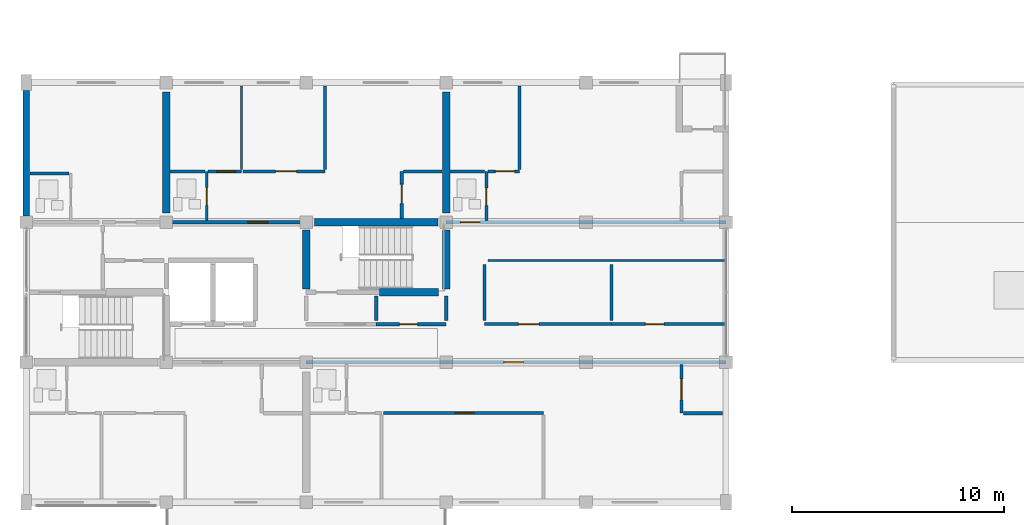
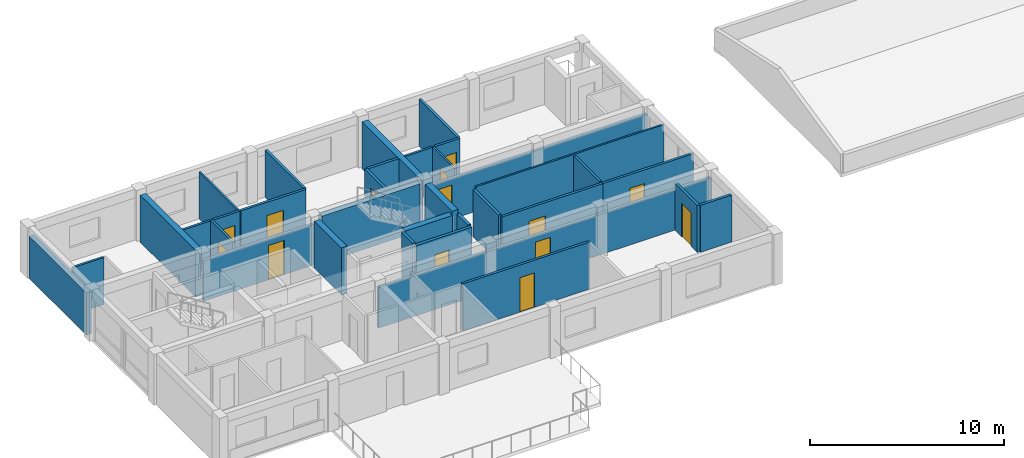
# One storey, part 35 of 51: 34 walls, 14 doors, 14 openings.
"""IFC4 building model written with IfcOpenShell, lengths in metres."""

from ifc_helpers import new_model, si_unit, direction, frame, frame_2d, origin, place, context, subcontext, project, spatial, rectangle, extrude, material, layer, layer_set, type_object, element, fill, save


model = new_model("IFC4")

# Units and contexts
model_context = context("Model", 3, precision=1e-05, world=origin(), true_north=direction((0.0, 1.0)))
body_context = subcontext(model_context, "Body", "Model", "MODEL_VIEW")
ifc_project = project(units=[si_unit("LENGTHUNIT", "METRE"), si_unit("AREAUNIT", "SQUARE_METRE"), si_unit("VOLUMEUNIT", "CUBIC_METRE"), si_unit("PLANEANGLEUNIT", "RADIAN"), si_unit("MASSUNIT", "GRAM", prefix="KILO")], contexts=[model_context])

# Site, building, storey
site_placement = place(None, origin())
site = spatial("IfcSite", under=ifc_project, at=site_placement, CompositionType="ELEMENT")
building_placement = place(site_placement, origin())
building = spatial("IfcBuilding", under=site, at=building_placement, Name="Kernevlak Ridge Housing Community", CompositionType="ELEMENT")
storey_placement = place(building_placement, frame((0.0, 0.0, 8.39990234375)))
storey = spatial("IfcBuildingStorey", under=building, at=storey_placement, Name="L02", CompositionType="ELEMENT", Elevation=8.39990234375)

# Wall
ifc_material_1 = material(Name="Concrete block masonry M10", Category="masonry")
ifc_layer_1 = layer(ifc_material_1, 0.300048828125, Name="Concrete block masonry M10")
ifc_layer_set_1 = layer_set([ifc_layer_1], Name="Concrete block masonry M10")
wall_type_1 = type_object("IfcWallType", Name="EW-01", PredefinedType="STANDARD", material=ifc_layer_set_1)
wall_1_placement = place(storey_placement, frame((15.60009765625, 89.5, 0.0), z_axis=(0.0, 0.0, 1.0), x_axis=(0.0, 1.0, 0.0)))
element("IfcWall", 1, at=wall_1_placement, inside=storey, type_object=wall_type_1, Name="Exterior wall EW-01 L02 42", PredefinedType="STANDARD", context=body_context, shape_type="SweptSolid", body=[
    extrude(rectangle(XDim=5.925048828125, YDim=0.300048828125, at=frame_2d((2.96240234375, 0.0))), origin(), (0.0, 0.0, 1.0), 2.650146484375),
])

# Wall, opening, door
ifc_layer_2 = layer(ifc_material_1, 0.175048828125, Name="Concrete block masonry M10")
ifc_layer_set_2 = layer_set([ifc_layer_2], Name="Concrete block masonry M10")
wall_type_2 = type_object("IfcWallType", Name="PW-02", PredefinedType="PARTITIONING", material=ifc_layer_set_2)
wall_2_placement = place(storey_placement, frame((32.10009765625, 84.39990234375, 0.0), z_axis=(0.0, 0.0, 1.0), x_axis=(1.0, 0.0, 0.0)))
wall_2 = element("IfcWall", 2, at=wall_2_placement, inside=storey, type_object=wall_type_2, Name="Interior wall PW-02 WAL-INT-L02-0144", PredefinedType="PARTITIONING", context=body_context, shape_type="SweptSolid", body=[
    extrude(rectangle(XDim=3.2998046875, YDim=0.175048828125, at=frame_2d((1.64990234375, 0.0))), origin(), (0.0, 0.0, 1.0), 2.960205078125),
])
opening_1_placement = place(wall_2_placement, frame((1.10009765625, 0.0, 0.0)))
opening_1 = element("IfcOpeningElement", 3, at=opening_1_placement, cuts=wall_2, Name="Opening D070", PredefinedType="OPENING", context=body_context, shape_type="SweptSolid", body=[
    extrude(rectangle(XDim=0.85009765625, YDim=2.0, at=frame_2d((0.425048828125, 1.0))), frame((0.0, 0.097412109375, 0.0), z_axis=(0.0, -1.0, 0.0), x_axis=(1.0, 0.0, 0.0)), (0.0, 0.0, 1.0), 0.195068359375),
])
ifc_material_2 = material(Name="Fire-rated sheet steel leaf", Category="steel")
door_type_1 = type_object("IfcDoorType", Name="DT-07", OperationType="NOTDEFINED", PredefinedType="DOOR", material=ifc_material_2)
door_1_placement = place(opening_1_placement, origin())
door_1 = element("IfcDoor", 4, at=door_1_placement, inside=storey, type_object=door_type_1, Name="Block A Cleaner store door D070", OperationType="SINGLE_SWING_RIGHT", OverallHeight=2.0, OverallWidth=0.85009765625, PredefinedType="DOOR", context=body_context, shape_type="SweptSolid", body=[
    extrude(rectangle(XDim=0.85009765625, YDim=2.0, at=frame_2d((0.425048828125, 1.0))), frame((0.0, 0.02490234375, 0.0), z_axis=(0.0, -1.0, 0.0), x_axis=(1.0, 0.0, 0.0)), (0.0, 0.0, 1.0), 0.050048828125),
])
fill(opening_1, door_1)

# Walls
for number, where, z_axis, x_axis, name in (
    (5, (32.10009765625, 84.580078125, 0.0), (0.0, 0.0, 1.0), (0.0, 1.0, 0.0), "Interior wall PW-02 WAL-INT-L02-0146"),
    (6, (35.39990234375, 84.580078125, 0.0), (0.0, 0.0, 1.0), (0.0, 1.0, 0.0), "Interior wall PW-02 WAL-INT-L02-0147"),
):
    element("IfcWall", number, at=place(storey_placement, frame(where, z_axis=z_axis, x_axis=x_axis)), inside=storey, type_object=wall_type_2, Name=name, PredefinedType="PARTITIONING", context=body_context, shape_type="SweptSolid", body=[
        extrude(rectangle(XDim=1.139892578125, YDim=0.175048828125, at=frame_2d((0.56982421875, 0.0))), origin(), (0.0, 0.0, 1.0), 2.960205078125),
    ])

# Wall, opening, door
wall_3_placement = place(storey_placement, frame((28.800048828125, 82.60009765625, 0.0), z_axis=(0.0, 0.0, 1.0), x_axis=(1.0, 0.0, 0.0)))
wall_3 = element("IfcWall", 7, at=wall_3_placement, inside=storey, type_object=wall_type_2, Name="Interior wall PW-02 WAL-INT-L02-0162", PredefinedType="PARTITIONING", context=body_context, shape_type="SweptSolid", body=[
    extrude(rectangle(XDim=19.800048828125, YDim=0.175048828125, at=frame_2d((9.89990234375, 0.0))), origin(), (0.0, 0.0, 1.0), 2.550048828125),
])
opening_2_placement = place(wall_3_placement, frame((9.324951171875, 0.0, 0.0)))
opening_2 = element("IfcOpeningElement", 8, at=opening_2_placement, cuts=wall_3, Name="Opening D079", PredefinedType="OPENING", context=body_context, shape_type="SweptSolid", body=[
    extrude(rectangle(XDim=0.919921875, YDim=2.139892578125, at=frame_2d((0.4599609375, 1.06982421875))), frame((0.0, 0.097412109375, 0.0), z_axis=(0.0, -1.0, 0.0), x_axis=(1.0, 0.0, 0.0)), (0.0, 0.0, 1.0), 0.195068359375),
])
ifc_material_3 = material(Name="Hardwood timber solid-core fire leaf", Category="wood")
door_type_2 = type_object("IfcDoorType", Name="DT-20", OperationType="NOTDEFINED", PredefinedType="DOOR", material=ifc_material_3)
door_2_placement = place(opening_2_placement, origin())
door_2 = element("IfcDoor", 9, at=door_2_placement, inside=storey, type_object=door_type_2, Name="Flat A0212 entrance fire door D079", OperationType="SINGLE_SWING_LEFT", OverallHeight=2.139892578125, OverallWidth=0.919921875, PredefinedType="DOOR", context=body_context, shape_type="SweptSolid", body=[
    extrude(rectangle(XDim=0.919921875, YDim=2.139892578125, at=frame_2d((0.4599609375, 1.06982421875))), frame((0.0, 0.02490234375, 0.0), z_axis=(0.0, -1.0, 0.0), x_axis=(1.0, 0.0, 0.0)), (0.0, 0.0, 1.0), 0.050048828125),
])
fill(opening_2, door_2)

wall_4_placement = place(storey_placement, frame((22.199951171875, 89.199951171875, 0.0), z_axis=(0.0, 0.0, 1.0), x_axis=(1.0, 0.0, 0.0)))
wall_4 = element("IfcWall", 10, at=wall_4_placement, inside=storey, type_object=wall_type_2, Name="Interior wall PW-02 WAL-INT-L02-0175", PredefinedType="PARTITIONING", context=body_context, shape_type="SweptSolid", body=[
    extrude(rectangle(XDim=6.60009765625, YDim=0.175048828125, at=frame_2d((3.300048828125, 0.0))), origin(), (0.0, 0.0, 1.0), 2.550048828125),
])
opening_3_placement = place(wall_4_placement, frame((3.85009765625, 0.0, 0.0)))
opening_3 = element("IfcOpeningElement", 11, at=opening_3_placement, cuts=wall_4, Name="Opening D086", PredefinedType="OPENING", context=body_context, shape_type="SweptSolid", body=[
    extrude(rectangle(XDim=0.949951171875, YDim=2.159912109375, at=frame_2d((0.47509765625, 1.080078125))), frame((0.0, 0.097412109375, 0.0), z_axis=(0.0, -1.0, 0.0), x_axis=(1.0, 0.0, 0.0)), (0.0, 0.0, 1.0), 0.195068359375),
])
door_type_3 = type_object("IfcDoorType", Name="DT-02", OperationType="NOTDEFINED", PredefinedType="DOOR", material=ifc_material_3)
door_3_placement = place(opening_3_placement, origin())
door_3 = element("IfcDoor", 12, at=door_3_placement, inside=storey, type_object=door_type_3, Name="Flat A0222 entrance fire door D086", OperationType="SINGLE_SWING_RIGHT", OverallHeight=2.159912109375, OverallWidth=0.949951171875, PredefinedType="DOOR", context=body_context, shape_type="SweptSolid", body=[
    extrude(rectangle(XDim=0.949951171875, YDim=2.159912109375, at=frame_2d((0.47509765625, 1.080078125))), frame((0.0, 0.02490234375, 0.0), z_axis=(0.0, -1.0, 0.0), x_axis=(1.0, 0.0, 0.0)), (0.0, 0.0, 1.0), 0.050048828125),
])
fill(opening_3, door_3)

wall_5_placement = place(storey_placement, frame((35.39990234375, 89.199951171875, 0.0), z_axis=(0.0, 0.0, 1.0), x_axis=(1.0, 0.0, 0.0)))
wall_5 = element("IfcWall", 13, at=wall_5_placement, inside=storey, type_object=wall_type_2, Name="Interior wall PW-02 WAL-INT-L02-0184", PredefinedType="PARTITIONING", context=body_context, shape_type="SweptSolid", body=[
    extrude(rectangle(XDim=13.2001953125, YDim=0.175048828125, at=frame_2d((6.60009765625, 0.0))), origin(), (0.0, 0.0, 1.0), 2.550048828125),
])
opening_4_placement = place(wall_5_placement, frame((0.669921875, 0.0, 0.0)))
opening_4 = element("IfcOpeningElement", 14, at=opening_4_placement, cuts=wall_5, Name="Opening D091", PredefinedType="OPENING", context=body_context, shape_type="SweptSolid", body=[
    extrude(rectangle(XDim=0.919921875, YDim=2.139892578125, at=frame_2d((0.4599609375, 1.06982421875))), frame((0.0, 0.097412109375, 0.0), z_axis=(0.0, -1.0, 0.0), x_axis=(1.0, 0.0, 0.0)), (0.0, 0.0, 1.0), 0.195068359375),
])
door_4_placement = place(opening_4_placement, origin())
door_4 = element("IfcDoor", 15, at=door_4_placement, inside=storey, type_object=door_type_2, Name="Flat A0223 entrance fire door D091", OperationType="SINGLE_SWING_LEFT", OverallHeight=2.139892578125, OverallWidth=0.919921875, PredefinedType="DOOR", context=body_context, shape_type="SweptSolid", body=[
    extrude(rectangle(XDim=0.919921875, YDim=2.139892578125, at=frame_2d((0.4599609375, 1.06982421875))), frame((0.0, 0.02490234375, 0.0), z_axis=(0.0, -1.0, 0.0), x_axis=(1.0, 0.0, 0.0)), (0.0, 0.0, 1.0), 0.050048828125),
])
fill(opening_4, door_4)

ifc_layer_3 = layer(ifc_material_1, 0.14501953125, Name="Concrete block masonry M10")
ifc_layer_set_3 = layer_set([ifc_layer_3], Name="Concrete block masonry M10")
wall_type_3 = type_object("IfcWallType", Name="PW-03", PredefinedType="PARTITIONING", material=ifc_layer_set_3)
wall_6_placement = place(storey_placement, frame((37.199951171875, 84.39990234375, 0.0), z_axis=(0.0, 0.0, 1.0), x_axis=(1.0, 0.0, 0.0)))
wall_6 = element("IfcWall", 16, at=wall_6_placement, inside=storey, type_object=wall_type_3, Name="Interior wall PW-03 WAL-INT-L02-0148", PredefinedType="PARTITIONING", context=body_context, shape_type="SweptSolid", body=[
    extrude(rectangle(XDim=6.0, YDim=0.14501953125, at=frame_2d((3.0, 0.0))), origin(), (0.0, 0.0, 1.0), 2.960205078125),
])
opening_5_placement = place(wall_6_placement, frame((1.60009765625, 0.0, 0.0)))
opening_5 = element("IfcOpeningElement", 17, at=opening_5_placement, cuts=wall_6, Name="Opening D071", PredefinedType="OPENING", context=body_context, shape_type="SweptSolid", body=[
    extrude(rectangle(XDim=0.97998046875, YDim=2.1201171875, at=frame_2d((0.489990234375, 1.06005859375))), frame((0.0, 0.08251953125, 0.0), z_axis=(0.0, -1.0, 0.0), x_axis=(1.0, 0.0, 0.0)), (0.0, 0.0, 1.0), 0.1650390625),
])
ifc_material_4 = material(Name="Hardwood timber leaf", Category="wood")
door_type_4 = type_object("IfcDoorType", Name="DT-24", OperationType="NOTDEFINED", PredefinedType="DOOR", material=ifc_material_4)
door_5_placement = place(opening_5_placement, origin())
door_5 = element("IfcDoor", 18, at=door_5_placement, inside=storey, type_object=door_type_4, Name="Block A Laundry room door D071", OperationType="SINGLE_SWING_LEFT", OverallHeight=2.1201171875, OverallWidth=0.97998046875, PredefinedType="DOOR", context=body_context, shape_type="SweptSolid", body=[
    extrude(rectangle(XDim=0.97998046875, YDim=2.1201171875, at=frame_2d((0.489990234375, 1.06005859375))), frame((0.0, 0.02490234375, 0.0), z_axis=(0.0, -1.0, 0.0), x_axis=(1.0, 0.0, 0.0)), (0.0, 0.0, 1.0), 0.050048828125),
])
fill(opening_5, door_5)

wall_7_placement = place(storey_placement, frame((43.199951171875, 84.39990234375, 0.0), z_axis=(0.0, 0.0, 1.0), x_axis=(1.0, 0.0, 0.0)))
wall_7 = element("IfcWall", 19, at=wall_7_placement, inside=storey, type_object=wall_type_3, Name="Interior wall PW-03 WAL-INT-L02-0149", PredefinedType="PARTITIONING", context=body_context, shape_type="SweptSolid", body=[
    extrude(rectangle(XDim=5.400146484375, YDim=0.14501953125, at=frame_2d((2.7001953125, 0.0))), origin(), (0.0, 0.0, 1.0), 2.960205078125),
])
opening_6_placement = place(wall_7_placement, frame((1.60009765625, 0.0, 0.0)))
opening_6 = element("IfcOpeningElement", 20, at=opening_6_placement, cuts=wall_7, Name="Opening D072", PredefinedType="OPENING", context=body_context, shape_type="SweptSolid", body=[
    extrude(rectangle(XDim=0.8798828125, YDim=2.10009765625, at=frame_2d((0.43994140625, 1.050048828125))), frame((0.0, 0.08251953125, 0.0), z_axis=(0.0, -1.0, 0.0), x_axis=(1.0, 0.0, 0.0)), (0.0, 0.0, 1.0), 0.1650390625),
])
door_type_5 = type_object("IfcDoorType", Name="DT-25", OperationType="NOTDEFINED", PredefinedType="DOOR", material=ifc_material_4)
door_6_placement = place(opening_6_placement, origin())
door_6 = element("IfcDoor", 21, at=door_6_placement, inside=storey, type_object=door_type_5, Name="Block A Study room door D072", OperationType="SINGLE_SWING_RIGHT", OverallHeight=2.10009765625, OverallWidth=0.8798828125, PredefinedType="DOOR", context=body_context, shape_type="SweptSolid", body=[
    extrude(rectangle(XDim=0.8798828125, YDim=2.10009765625, at=frame_2d((0.43994140625, 1.050048828125))), frame((0.0, 0.02490234375, 0.0), z_axis=(0.0, -1.0, 0.0), x_axis=(1.0, 0.0, 0.0)), (0.0, 0.0, 1.0), 0.050048828125),
])
fill(opening_6, door_6)

# Walls
for number, where, z_axis, x_axis, name in (
    (22, (43.199951171875, 84.580078125, 0.0), (0.0, 0.0, 1.0), (0.0, 1.0, 0.0), "Interior wall PW-03 WAL-INT-L02-0150"),
    (23, (37.199951171875, 84.580078125, 0.0), (0.0, 0.0, 1.0), (0.0, 1.0, 0.0), "Interior wall PW-03 WAL-INT-L02-0152"),
):
    element("IfcWall", number, at=place(storey_placement, frame(where, z_axis=z_axis, x_axis=x_axis)), inside=storey, type_object=wall_type_3, Name=name, PredefinedType="PARTITIONING", context=body_context, shape_type="SweptSolid", body=[
        extrude(rectangle(XDim=2.639892578125, YDim=0.14501953125, at=frame_2d((1.31982421875, 0.0))), origin(), (0.0, 0.0, 1.0), 2.960205078125),
    ])

# Wall, opening, door
wall_8_placement = place(storey_placement, frame((32.4326171875, 80.199951171875, 0.0), z_axis=(0.0, 0.0, 1.0), x_axis=(1.0, 0.0, 0.0)))
wall_8 = element("IfcWall", 24, at=wall_8_placement, inside=storey, type_object=wall_type_3, Name="Interior wall PW-03 WAL-INT-L02-0169", PredefinedType="PARTITIONING", context=body_context, shape_type="SweptSolid", body=[
    extrude(rectangle(XDim=7.555419921875, YDim=0.14501953125, at=frame_2d((3.77783203125, 0.0))), origin(), (0.0, 0.0, 1.0), 2.960205078125),
])
opening_7_placement = place(wall_8_placement, frame((3.39404296875, 0.0, 0.0)))
opening_7 = element("IfcOpeningElement", 25, at=opening_7_placement, cuts=wall_8, Name="Opening D083", PredefinedType="OPENING", context=body_context, shape_type="SweptSolid", body=[
    extrude(rectangle(XDim=0.8798828125, YDim=2.159912109375, at=frame_2d((0.43994140625, 1.080078125))), frame((0.0, 0.08251953125, 0.0), z_axis=(0.0, -1.0, 0.0), x_axis=(1.0, 0.0, 0.0)), (0.0, 0.0, 1.0), 0.1650390625),
])
door_type_6 = type_object("IfcDoorType", Name="DT-26", OperationType="NOTDEFINED", PredefinedType="DOOR", material=ifc_material_4)
door_7_placement = place(opening_7_placement, origin())
door_7 = element("IfcDoor", 26, at=door_7_placement, inside=storey, type_object=door_type_6, Name="Flat A0212 bedroom door D083", OperationType="SINGLE_SWING_LEFT", OverallHeight=2.159912109375, OverallWidth=0.8798828125, PredefinedType="DOOR", context=body_context, shape_type="SweptSolid", body=[
    extrude(rectangle(XDim=0.8798828125, YDim=2.159912109375, at=frame_2d((0.43994140625, 1.080078125))), frame((0.0, 0.02490234375, 0.0), z_axis=(0.0, -1.0, 0.0), x_axis=(1.0, 0.0, 0.0)), (0.0, 0.0, 1.0), 0.050048828125),
])
fill(opening_7, door_7)

wall_9_placement = place(storey_placement, frame((24.172607421875, 91.60009765625, 0.0), z_axis=(0.0, 0.0, 1.0), x_axis=(1.0, 0.0, 0.0)))
wall_9 = element("IfcWall", 27, at=wall_9_placement, inside=storey, type_object=wall_type_3, Name="Interior wall PW-03 WAL-INT-L02-0180", PredefinedType="PARTITIONING", context=body_context, shape_type="SweptSolid", body=[
    extrude(rectangle(XDim=1.577392578125, YDim=0.14501953125, at=frame_2d((0.78857421875, 0.0))), origin(), (0.0, 0.0, 1.0), 2.960205078125),
])
opening_8_placement = place(wall_9_placement, frame((0.39990234375, 0.0, 0.0)))
opening_8 = element("IfcOpeningElement", 28, at=opening_8_placement, cuts=wall_9, Name="Opening D089", PredefinedType="OPENING", context=body_context, shape_type="SweptSolid", body=[
    extrude(rectangle(XDim=0.89990234375, YDim=2.159912109375, at=frame_2d((0.449951171875, 1.080078125))), frame((0.0, 0.08251953125, 0.0), z_axis=(0.0, -1.0, 0.0), x_axis=(1.0, 0.0, 0.0)), (0.0, 0.0, 1.0), 0.1650390625),
])
door_type_7 = type_object("IfcDoorType", Name="DT-22", OperationType="NOTDEFINED", PredefinedType="DOOR", material=ifc_material_4)
door_8_placement = place(opening_8_placement, origin())
door_8 = element("IfcDoor", 29, at=door_8_placement, inside=storey, type_object=door_type_7, Name="Flat A0222 bedroom door D089", OperationType="SINGLE_SWING_LEFT", OverallHeight=2.159912109375, OverallWidth=0.89990234375, PredefinedType="DOOR", context=body_context, shape_type="SweptSolid", body=[
    extrude(rectangle(XDim=0.89990234375, YDim=2.159912109375, at=frame_2d((0.449951171875, 1.080078125))), frame((0.0, 0.02490234375, 0.0), z_axis=(0.0, -1.0, 0.0), x_axis=(1.0, 0.0, 0.0)), (0.0, 0.0, 1.0), 0.050048828125),
])
fill(opening_8, door_8)

wall_10_placement = place(storey_placement, frame((25.8125, 91.60009765625, 0.0), z_axis=(0.0, 0.0, 1.0), x_axis=(1.0, 0.0, 0.0)))
wall_10 = element("IfcWall", 30, at=wall_10_placement, inside=storey, type_object=wall_type_3, Name="Interior wall PW-03 WAL-INT-L02-0182", PredefinedType="PARTITIONING", context=body_context, shape_type="SweptSolid", body=[
    extrude(rectangle(XDim=3.87939453125, YDim=0.14501953125, at=frame_2d((1.939697265625, 0.0))), origin(), (0.0, 0.0, 1.0), 2.960205078125),
])
opening_9_placement = place(wall_10_placement, frame((1.5458984375, 0.0, 0.0)))
opening_9 = element("IfcOpeningElement", 31, at=opening_9_placement, cuts=wall_10, Name="Opening D090", PredefinedType="OPENING", context=body_context, shape_type="SweptSolid", body=[
    extrude(rectangle(XDim=0.97998046875, YDim=2.1201171875, at=frame_2d((0.489990234375, 1.06005859375))), frame((0.0, 0.08251953125, 0.0), z_axis=(0.0, -1.0, 0.0), x_axis=(1.0, 0.0, 0.0)), (0.0, 0.0, 1.0), 0.1650390625),
])
door_9_placement = place(opening_9_placement, origin())
door_9 = element("IfcDoor", 32, at=door_9_placement, inside=storey, type_object=door_type_4, Name="Flat A0222 bedroom door D090", OperationType="SINGLE_SWING_RIGHT", OverallHeight=2.1201171875, OverallWidth=0.97998046875, PredefinedType="DOOR", context=body_context, shape_type="SweptSolid", body=[
    extrude(rectangle(XDim=0.97998046875, YDim=2.1201171875, at=frame_2d((0.489990234375, 1.06005859375))), frame((0.0, 0.02490234375, 0.0), z_axis=(0.0, -1.0, 0.0), x_axis=(1.0, 0.0, 0.0)), (0.0, 0.0, 1.0), 0.050048828125),
])
fill(opening_9, door_9)

# Wall
wall_11_placement = place(storey_placement, frame((29.69189453125, 91.6826171875, 0.0), z_axis=(0.0, 0.0, 1.0), x_axis=(0.0, 1.0, 0.0)))
element("IfcWall", 33, at=wall_11_placement, inside=storey, type_object=wall_type_3, Name="Interior wall PW-03 WAL-INT-L02-0183", PredefinedType="PARTITIONING", context=body_context, shape_type="SweptSolid", body=[
    extrude(rectangle(XDim=3.957275390625, YDim=0.14501953125, at=frame_2d((1.978515625, 0.0))), origin(), (0.0, 0.0, 1.0), 2.960205078125),
])

# Wall, opening, door
wall_12_placement = place(storey_placement, frame((37.37255859375, 91.60009765625, 0.0), z_axis=(0.0, 0.0, 1.0), x_axis=(1.0, 0.0, 0.0)))
wall_12 = element("IfcWall", 34, at=wall_12_placement, inside=storey, type_object=wall_type_3, Name="Interior wall PW-03 WAL-INT-L02-0189", PredefinedType="PARTITIONING", context=body_context, shape_type="SweptSolid", body=[
    extrude(rectangle(XDim=1.4775390625, YDim=0.14501953125, at=frame_2d((0.73876953125, 0.0))), origin(), (0.0, 0.0, 1.0), 2.960205078125),
])
opening_10_placement = place(wall_12_placement, frame((0.35009765625, 0.0, 0.0)))
opening_10 = element("IfcOpeningElement", 35, at=opening_10_placement, cuts=wall_12, Name="Opening D094", PredefinedType="OPENING", context=body_context, shape_type="SweptSolid", body=[
    extrude(rectangle(XDim=0.909912109375, YDim=2.139892578125, at=frame_2d((0.455078125, 1.06982421875))), frame((0.0, 0.08251953125, 0.0), z_axis=(0.0, -1.0, 0.0), x_axis=(1.0, 0.0, 0.0)), (0.0, 0.0, 1.0), 0.1650390625),
])
door_type_8 = type_object("IfcDoorType", Name="DT-31", OperationType="NOTDEFINED", PredefinedType="DOOR", material=ifc_material_4)
door_10_placement = place(opening_10_placement, origin())
door_10 = element("IfcDoor", 36, at=door_10_placement, inside=storey, type_object=door_type_8, Name="Flat A0223 bedroom door D094", OperationType="SINGLE_SWING_RIGHT", OverallHeight=2.139892578125, OverallWidth=0.909912109375, PredefinedType="DOOR", context=body_context, shape_type="SweptSolid", body=[
    extrude(rectangle(XDim=0.909912109375, YDim=2.139892578125, at=frame_2d((0.455078125, 1.06982421875))), frame((0.0, 0.02490234375, 0.0), z_axis=(0.0, -1.0, 0.0), x_axis=(1.0, 0.0, 0.0)), (0.0, 0.0, 1.0), 0.050048828125),
])
fill(opening_10, door_10)

# Walls
wall_13_placement = place(storey_placement, frame((38.85009765625, 91.6826171875, 0.0), z_axis=(0.0, 0.0, 1.0), x_axis=(0.0, 1.0, 0.0)))
element("IfcWall", 37, at=wall_13_placement, inside=storey, type_object=wall_type_3, Name="Interior wall PW-03 WAL-INT-L02-0190", PredefinedType="PARTITIONING", context=body_context, shape_type="SweptSolid", body=[
    extrude(rectangle(XDim=3.957275390625, YDim=0.14501953125, at=frame_2d((1.978515625, 0.0))), origin(), (0.0, 0.0, 1.0), 2.960205078125),
])
ifc_material_5 = material(Name="Gypsum plasterboard EN 520", Category="gypsum")
ifc_layer_4 = layer(ifc_material_5, 0.125, Name="Gypsum plasterboard EN 520")
ifc_layer_set_4 = layer_set([ifc_layer_4], Name="Gypsum plasterboard EN 520")
wall_type_4 = type_object("IfcWallType", Name="PW-04", PredefinedType="PARTITIONING", material=ifc_layer_set_4)
wall_14_placement = place(storey_placement, frame((15.760009765625, 91.5, 0.0), z_axis=(0.0, 0.0, 1.0), x_axis=(1.0, 0.0, 0.0)))
element("IfcWall", 38, at=wall_14_placement, inside=storey, type_object=wall_type_4, Name="Interior wall PW-04 WAL-INT-L02-0174", PredefinedType="PARTITIONING", context=body_context, shape_type="SweptSolid", body=[
    extrude(rectangle(XDim=1.860107421875, YDim=0.125, at=frame_2d((0.93017578125, 0.0))), origin(), (0.0, 0.0, 1.0), 2.960205078125),
])

# Wall, opening, door
wall_15_placement = place(storey_placement, frame((24.10009765625, 89.297607421875, 0.0), z_axis=(0.0, 0.0, 1.0), x_axis=(0.0, 1.0, 0.0)))
wall_15 = element("IfcWall", 39, at=wall_15_placement, inside=storey, type_object=wall_type_4, Name="Interior wall PW-04 WAL-INT-L02-0176", PredefinedType="PARTITIONING", context=body_context, shape_type="SweptSolid", body=[
    extrude(rectangle(XDim=2.302490234375, YDim=0.125, at=frame_2d((1.1513671875, 0.0))), origin(), (0.0, 0.0, 1.0), 2.960205078125),
])
opening_11_placement = place(wall_15_placement, frame((0.699951171875, 0.0, 0.0)))
opening_11 = element("IfcOpeningElement", 40, at=opening_11_placement, cuts=wall_15, Name="Opening D087", PredefinedType="OPENING", context=body_context, shape_type="SweptSolid", body=[
    extrude(rectangle(XDim=0.840087890625, YDim=2.06005859375, at=frame_2d((0.419921875, 1.030029296875))), frame((0.0, 0.072509765625, 0.0), z_axis=(0.0, -1.0, 0.0), x_axis=(1.0, 0.0, 0.0)), (0.0, 0.0, 1.0), 0.14501953125),
])
ifc_material_6 = material(Name="Hardwood timber moisture-resistant leaf", Category="wood")
door_type_9 = type_object("IfcDoorType", Name="DT-27", OperationType="NOTDEFINED", PredefinedType="DOOR", material=ifc_material_6)
door_11_placement = place(opening_11_placement, origin())
door_11 = element("IfcDoor", 41, at=door_11_placement, inside=storey, type_object=door_type_9, Name="Flat A0222 bathroom door D087", OperationType="SINGLE_SWING_LEFT", OverallHeight=2.06005859375, OverallWidth=0.840087890625, PredefinedType="DOOR", context=body_context, shape_type="SweptSolid", body=[
    extrude(rectangle(XDim=0.840087890625, YDim=2.06005859375, at=frame_2d((0.419921875, 1.030029296875))), frame((0.0, 0.02490234375, 0.0), z_axis=(0.0, -1.0, 0.0), x_axis=(1.0, 0.0, 0.0)), (0.0, 0.0, 1.0), 0.050048828125),
])
fill(opening_11, door_11)

# Wall
wall_16_placement = place(storey_placement, frame((22.385009765625, 91.60009765625, 0.0), z_axis=(0.0, 0.0, 1.0), x_axis=(1.0, 0.0, 0.0)))
element("IfcWall", 42, at=wall_16_placement, inside=storey, type_object=wall_type_4, Name="Interior wall PW-04 WAL-INT-L02-0177", PredefinedType="PARTITIONING", context=body_context, shape_type="SweptSolid", body=[
    extrude(rectangle(XDim=1.635009765625, YDim=0.125, at=frame_2d((0.8173828125, 0.0))), origin(), (0.0, 0.0, 1.0), 2.960205078125),
])

# Wall, opening, door
wall_17_placement = place(storey_placement, frame((37.300048828125, 89.297607421875, 0.0), z_axis=(0.0, 0.0, 1.0), x_axis=(0.0, 1.0, 0.0)))
wall_17 = element("IfcWall", 43, at=wall_17_placement, inside=storey, type_object=wall_type_4, Name="Interior wall PW-04 WAL-INT-L02-0185", PredefinedType="PARTITIONING", context=body_context, shape_type="SweptSolid", body=[
    extrude(rectangle(XDim=2.302490234375, YDim=0.125, at=frame_2d((1.1513671875, 0.0))), origin(), (0.0, 0.0, 1.0), 2.960205078125),
])
opening_12_placement = place(wall_17_placement, frame((0.699951171875, 0.0, 0.0)))
opening_12 = element("IfcOpeningElement", 44, at=opening_12_placement, cuts=wall_17, Name="Opening D092", PredefinedType="OPENING", context=body_context, shape_type="SweptSolid", body=[
    extrude(rectangle(XDim=0.820068359375, YDim=2.050048828125, at=frame_2d((0.41015625, 1.02490234375))), frame((0.0, 0.072509765625, 0.0), z_axis=(0.0, -1.0, 0.0), x_axis=(1.0, 0.0, 0.0)), (0.0, 0.0, 1.0), 0.14501953125),
])
door_type_10 = type_object("IfcDoorType", Name="DT-30", OperationType="NOTDEFINED", PredefinedType="DOOR", material=ifc_material_6)
door_12_placement = place(opening_12_placement, origin())
door_12 = element("IfcDoor", 45, at=door_12_placement, inside=storey, type_object=door_type_10, Name="Flat A0223 bathroom door D092", OperationType="SINGLE_SWING_RIGHT", OverallHeight=2.050048828125, OverallWidth=0.820068359375, PredefinedType="DOOR", context=body_context, shape_type="SweptSolid", body=[
    extrude(rectangle(XDim=0.820068359375, YDim=2.050048828125, at=frame_2d((0.41015625, 1.02490234375))), frame((0.0, 0.02490234375, 0.0), z_axis=(0.0, -1.0, 0.0), x_axis=(1.0, 0.0, 0.0)), (0.0, 0.0, 1.0), 0.050048828125),
])
fill(opening_12, door_12)

# Wall
wall_18_placement = place(storey_placement, frame((35.5849609375, 91.60009765625, 0.0), z_axis=(0.0, 0.0, 1.0), x_axis=(1.0, 0.0, 0.0)))
element("IfcWall", 46, at=wall_18_placement, inside=storey, type_object=wall_type_4, Name="Interior wall PW-04 WAL-INT-L02-0186", PredefinedType="PARTITIONING", context=body_context, shape_type="SweptSolid", body=[
    extrude(rectangle(XDim=1.635009765625, YDim=0.125, at=frame_2d((0.8173828125, 0.0))), origin(), (0.0, 0.0, 1.0), 2.960205078125),
])

# Wall, opening, door
ifc_layer_5 = layer(ifc_material_5, 0.155029296875, Name="Gypsum plasterboard EN 520")
ifc_layer_set_5 = layer_set([ifc_layer_5], Name="Gypsum plasterboard EN 520")
wall_type_5 = type_object("IfcWallType", Name="PW-05", PredefinedType="PARTITIONING", material=ifc_layer_set_5)
wall_19_placement = place(storey_placement, frame((46.5, 82.50244140625, 0.0), z_axis=(0.0, 0.0, 1.0), x_axis=(0.0, -1.0, 0.0)))
wall_19 = element("IfcWall", 47, at=wall_19_placement, inside=storey, type_object=wall_type_5, Name="Interior wall PW-05 WAL-INT-L02-0165", PredefinedType="PARTITIONING", context=body_context, shape_type="SweptSolid", body=[
    extrude(rectangle(XDim=2.302490234375, YDim=0.155029296875, at=frame_2d((1.1513671875, 0.0))), origin(), (0.0, 0.0, 1.0), 2.960205078125),
])
opening_13_placement = place(wall_19_placement, frame((0.699951171875, 0.0, 0.0)))
opening_13 = element("IfcOpeningElement", 48, at=opening_13_placement, cuts=wall_19, Name="Opening D081", PredefinedType="OPENING", context=body_context, shape_type="SweptSolid", body=[
    extrude(rectangle(XDim=0.97998046875, YDim=2.1201171875, at=frame_2d((0.489990234375, 1.06005859375))), frame((0.0, 0.08740234375, 0.0), z_axis=(0.0, -1.0, 0.0), x_axis=(1.0, 0.0, 0.0)), (0.0, 0.0, 1.0), 0.175048828125),
])
door_13_placement = place(opening_13_placement, origin())
door_13 = element("IfcDoor", 49, at=door_13_placement, inside=storey, type_object=door_type_4, Name="Flat A0212 kitchen door D081", OperationType="SINGLE_SWING_LEFT", OverallHeight=2.1201171875, OverallWidth=0.97998046875, PredefinedType="DOOR", context=body_context, shape_type="SweptSolid", body=[
    extrude(rectangle(XDim=0.97998046875, YDim=2.1201171875, at=frame_2d((0.489990234375, 1.06005859375))), frame((0.0, 0.02490234375, 0.0), z_axis=(0.0, -1.0, 0.0), x_axis=(1.0, 0.0, 0.0)), (0.0, 0.0, 1.0), 0.050048828125),
])
fill(opening_13, door_13)

# Wall
wall_20_placement = place(storey_placement, frame((46.58740234375, 80.199951171875, 0.0), z_axis=(0.0, 0.0, 1.0), x_axis=(1.0, 0.0, 0.0)))
element("IfcWall", 50, at=wall_20_placement, inside=storey, type_object=wall_type_5, Name="Interior wall PW-05 WAL-INT-L02-0166", PredefinedType="PARTITIONING", context=body_context, shape_type="SweptSolid", body=[
    extrude(rectangle(XDim=1.8525390625, YDim=0.155029296875, at=frame_2d((0.92626953125, 0.0))), origin(), (0.0, 0.0, 1.0), 2.960205078125),
])

# Wall, opening, door
wall_21_placement = place(storey_placement, frame((33.300048828125, 89.385009765625, 0.0), z_axis=(0.0, 0.0, 1.0), x_axis=(0.0, 1.0, 0.0)))
wall_21 = element("IfcWall", 51, at=wall_21_placement, inside=storey, type_object=wall_type_5, Name="Interior wall PW-05 WAL-INT-L02-0178", PredefinedType="PARTITIONING", context=body_context, shape_type="SweptSolid", body=[
    extrude(rectangle(XDim=2.215087890625, YDim=0.155029296875, at=frame_2d((1.107421875, 0.0))), origin(), (0.0, 0.0, 1.0), 2.960205078125),
])
opening_14_placement = place(wall_21_placement, frame((0.699951171875, 0.0, 0.0)))
opening_14 = element("IfcOpeningElement", 52, at=opening_14_placement, cuts=wall_21, Name="Opening D088", PredefinedType="OPENING", context=body_context, shape_type="SweptSolid", body=[
    extrude(rectangle(XDim=0.89990234375, YDim=2.10009765625, at=frame_2d((0.449951171875, 1.050048828125))), frame((0.0, 0.08740234375, 0.0), z_axis=(0.0, -1.0, 0.0), x_axis=(1.0, 0.0, 0.0)), (0.0, 0.0, 1.0), 0.175048828125),
])
door_type_11 = type_object("IfcDoorType", Name="DT-21", OperationType="NOTDEFINED", PredefinedType="DOOR", material=ifc_material_4)
door_14_placement = place(opening_14_placement, origin())
door_14 = element("IfcDoor", 53, at=door_14_placement, inside=storey, type_object=door_type_11, Name="Flat A0222 kitchen door D088", OperationType="SINGLE_SWING_RIGHT", OverallHeight=2.10009765625, OverallWidth=0.89990234375, PredefinedType="DOOR", context=body_context, shape_type="SweptSolid", body=[
    extrude(rectangle(XDim=0.89990234375, YDim=2.10009765625, at=frame_2d((0.449951171875, 1.050048828125))), frame((0.0, 0.02490234375, 0.0), z_axis=(0.0, -1.0, 0.0), x_axis=(1.0, 0.0, 0.0)), (0.0, 0.0, 1.0), 0.050048828125),
])
fill(opening_14, door_14)

# Walls
wall_22_placement = place(storey_placement, frame((33.387451171875, 91.60009765625, 0.0), z_axis=(0.0, 0.0, 1.0), x_axis=(1.0, 0.0, 0.0)))
element("IfcWall", 54, at=wall_22_placement, inside=storey, type_object=wall_type_5, Name="Interior wall PW-05 WAL-INT-L02-0179", PredefinedType="PARTITIONING", context=body_context, shape_type="SweptSolid", body=[
    extrude(rectangle(XDim=1.82763671875, YDim=0.155029296875, at=frame_2d((0.913818359375, 0.0))), origin(), (0.0, 0.0, 1.0), 2.960205078125),
])
ifc_layer_6 = layer(ifc_material_5, 0.10498046875, Name="Gypsum plasterboard EN 520")
ifc_layer_set_6 = layer_set([ifc_layer_6], Name="Gypsum plasterboard EN 520")
wall_type_6 = type_object("IfcWallType", Name="PW-06", PredefinedType="PARTITIONING", material=ifc_layer_set_6)
wall_23_placement = place(storey_placement, frame((37.3798828125, 87.39990234375, 0.0), z_axis=(0.0, 0.0, 1.0), x_axis=(1.0, 0.0, 0.0)))
element("IfcWall", 55, at=wall_23_placement, inside=storey, type_object=wall_type_6, Name="Interior wall PW-06 WAL-INT-L02-0151", PredefinedType="PARTITIONING", context=body_context, shape_type="SweptSolid", body=[
    extrude(rectangle(XDim=11.2001953125, YDim=0.10498046875, at=frame_2d((5.60009765625, 0.0))), origin(), (0.0, 0.0, 1.0), 2.960205078125),
])
wall_24_placement = place(storey_placement, frame((25.75, 91.6826171875, 0.0), z_axis=(0.0, 0.0, 1.0), x_axis=(0.0, 1.0, 0.0)))
element("IfcWall", 56, at=wall_24_placement, inside=storey, type_object=wall_type_6, Name="Interior wall PW-06 WAL-INT-L02-0181", PredefinedType="PARTITIONING", context=body_context, shape_type="SweptSolid", body=[
    extrude(rectangle(XDim=3.957275390625, YDim=0.10498046875, at=frame_2d((1.978515625, 0.0))), origin(), (0.0, 0.0, 1.0), 2.960205078125),
])
ifc_material_7 = material(Name="Concrete C40/50", Category="concrete")
ifc_layer_7 = layer(ifc_material_7, 0.35009765625, Name="Concrete C40/50")
ifc_layer_set_7 = layer_set([ifc_layer_7], Name="Concrete C40/50")
wall_type_7 = type_object("IfcWallType", Name="SW-01", PredefinedType="SHEAR", material=ifc_layer_set_7)
wall_25_placement = place(storey_placement, frame((29.179931640625, 89.199951171875, 0.0), z_axis=(0.0, 0.0, 1.0), x_axis=(1.0, 0.0, 0.0)))
element("IfcWall", 57, at=wall_25_placement, inside=storey, type_object=wall_type_7, Name="Shear wall SW-01 Block A L02 34", PredefinedType="SHEAR", context=body_context, shape_type="SweptSolid", body=[
    extrude(rectangle(XDim=5.840087890625, YDim=0.35009765625, at=frame_2d((2.919921875, 0.0))), origin(), (0.0, 0.0, 1.0), 2.960205078125),
])
for number, where, z_axis, x_axis, name in (
    (58, (32.25, 85.89990234375, 0.0), (0.0, 0.0, 1.0), (1.0, 0.0, 0.0), "Shear wall SW-01 Block A L02 35"),
    (59, (28.800048828125, 86.050048828125, 0.0), (0.0, 0.0, 1.0), (0.0, 1.0, 0.0), "Shear wall SW-01 Block A L02 36"),
    (60, (35.39990234375, 86.050048828125, 0.0), (0.0, 0.0, 1.0), (0.0, 1.0, 0.0), "Shear wall SW-01 Block A L02 37"),
):
    element("IfcWall", number, at=place(storey_placement, frame(where, z_axis=z_axis, x_axis=x_axis)), inside=storey, type_object=wall_type_7, Name=name, PredefinedType="SHEAR", context=body_context, shape_type="SweptSolid", body=[
        extrude(rectangle(XDim=2.800048828125, YDim=0.35009765625, at=frame_2d((1.39990234375, 0.0))), origin(), (0.0, 0.0, 1.0), 2.960205078125),
    ])
for number, where, z_axis, x_axis, name in (
    (61, (22.199951171875, 89.64990234375, 0.0), (0.0, 0.0, 1.0), (0.0, 1.0, 0.0), "Shear wall SW-01 Block A L02 39"),
    (62, (35.39990234375, 89.64990234375, 0.0), (0.0, 0.0, 1.0), (0.0, 1.0, 0.0), "Shear wall SW-01 Block A L02 40"),
):
    element("IfcWall", number, at=place(storey_placement, frame(where, z_axis=z_axis, x_axis=x_axis)), inside=storey, type_object=wall_type_7, Name=name, PredefinedType="SHEAR", context=body_context, shape_type="SweptSolid", body=[
        extrude(rectangle(XDim=5.7001953125, YDim=0.35009765625, at=frame_2d((2.85009765625, 0.0))), origin(), (0.0, 0.0, 1.0), 2.960205078125),
    ])

save(model, "model.ifc")
